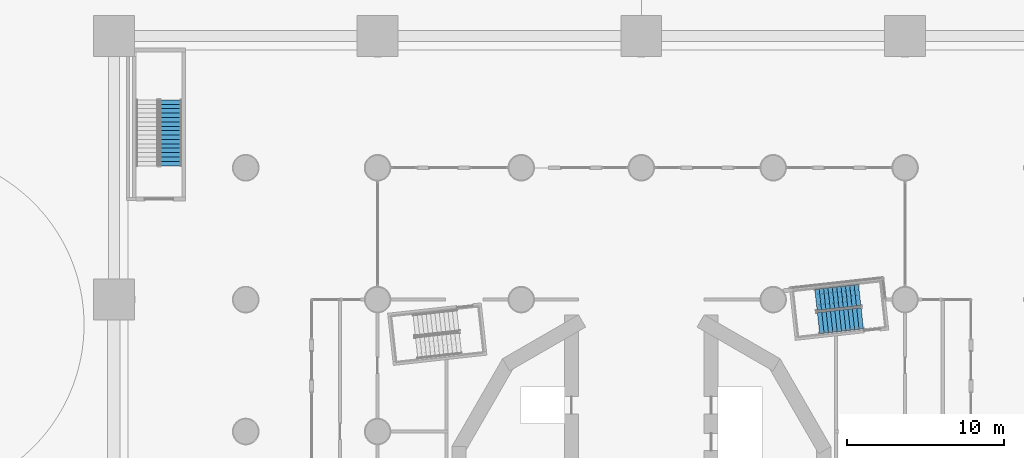
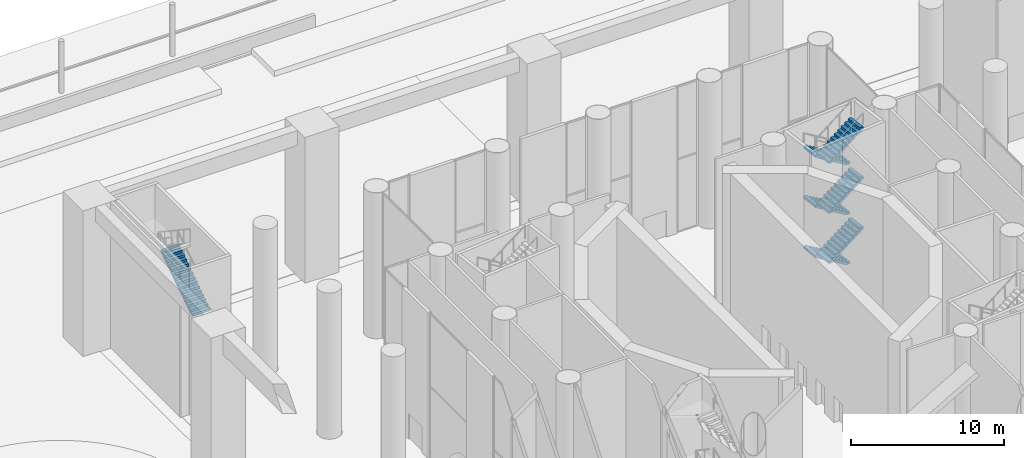
# One storey, part 22 of 52: 7 stair flights, 2 elements without a shape of their own.
"""IFC4 building model written with IfcOpenShell, lengths in metres."""

from ifc_helpers import new_model, si_unit, direction, frame, origin, place, context, subcontext, project, spatial, polyline, outline, extrude, material, type_object, element, aggregate, save


model = new_model("IFC4")

# Units and contexts
model_context = context("Model", 3, precision=1e-05, world=origin(), true_north=direction((0.0, 1.0)))
body_context = subcontext(model_context, "Body", "Model", "MODEL_VIEW")
ifc_project = project(units=[si_unit("LENGTHUNIT", "METRE"), si_unit("AREAUNIT", "SQUARE_METRE"), si_unit("VOLUMEUNIT", "CUBIC_METRE"), si_unit("PLANEANGLEUNIT", "RADIAN"), si_unit("MASSUNIT", "GRAM", prefix="KILO")], contexts=[model_context])

# Site, building, storey
site_placement = place(None, origin())
site = spatial("IfcSite", under=ifc_project, at=site_placement, CompositionType="ELEMENT")
building_placement = place(site_placement, origin())
building = spatial("IfcBuilding", under=site, at=building_placement, Name="Cantera Rosa Tower", CompositionType="ELEMENT")
storey_placement = place(building_placement, origin())
storey = spatial("IfcBuildingStorey", under=building, at=storey_placement, Name="L00", CompositionType="ELEMENT", Elevation=0.0)

# Stair, stair flights
ifc_material_1 = material(Name="Concrete C35/45", Category="concrete")
stair_type_1 = type_object("IfcStairType", Name="EXIT STAIR 1350 DOGLEG", PredefinedType="HALF_TURN_STAIR", material=ifc_material_1)
stair_1_placement = place(storey_placement, origin())
stair_1 = element("IfcStair", 1, at=stair_1_placement, inside=storey, type_object=stair_type_1, Name="L00 ST-11", PredefinedType="HALF_TURN_STAIR")
ifc_material_2 = material(Name="Concrete C35/45", Category="concrete")
stair_flight_type_1 = type_object("IfcStairFlightType", Name="STAIR FLIGHT 1350 R66x182", PredefinedType="STRAIGHT", material=ifc_material_2)
stair_flight_1_placement = place(storey_placement, frame((13.90869140625, 12.89990234375, 0.0), z_axis=(0.0, 0.0, 1.0), x_axis=(-0.993896947056, -0.110312549749, 0.0)))
stair_flight_1 = element("IfcStairFlight", 2, at=stair_flight_1_placement, type_object=stair_flight_type_1, Name="ST-11 flight 1", NumberOfRisers=11, NumberOfTreads=10, PredefinedType="STRAIGHT", RiserHeight=0.181818182, TreadLength=0.28, context=body_context, shape_type="SweptSolid", body=[
    extrude(outline(polyline([(0.0, 0.0), (0.0, 0.181884765625), (0.280029296875, 0.181884765625), (0.280029296875, 0.363525390625), (0.56005859375, 0.363525390625), (0.56005859375, 0.54541015625), (0.840087890625, 0.54541015625), (0.840087890625, 0.727294921875), (1.1201171875, 0.727294921875), (1.1201171875, 0.9091796875), (1.39990234375, 0.9091796875), (1.39990234375, 1.0908203125), (1.679931640625, 1.0908203125), (1.679931640625, 1.272705078125), (1.9599609375, 1.272705078125), (1.9599609375, 1.45458984375), (2.239990234375, 1.45458984375), (2.239990234375, 1.636474609375), (2.52001953125, 1.636474609375), (2.52001953125, 1.818115234375), (2.800048828125, 1.818115234375), (2.800048828125, 2.0), (2.800048828125, 1.639404296875), (0.275146484375, 0.0), (0.0, 0.0)])), frame((0.0, 0.675048828125, 0.0), z_axis=(0.0, -1.0, 0.0), x_axis=(1.0, 0.0, 0.0)), (0.0, 0.0, 1.0), 0.3359375),
    extrude(outline(polyline([(0.0, 0.0), (0.0, 0.181884765625), (0.280029296875, 0.181884765625), (0.280029296875, 0.363525390625), (0.56005859375, 0.363525390625), (0.56005859375, 0.54541015625), (0.840087890625, 0.54541015625), (0.840087890625, 0.727294921875), (1.1201171875, 0.727294921875), (1.1201171875, 0.9091796875), (1.39990234375, 0.9091796875), (1.39990234375, 1.0908203125), (1.679931640625, 1.0908203125), (1.679931640625, 1.272705078125), (1.9599609375, 1.272705078125), (1.9599609375, 1.45458984375), (2.239990234375, 1.45458984375), (2.239990234375, 1.636474609375), (2.52001953125, 1.636474609375), (2.52001953125, 1.818115234375), (2.800048828125, 1.818115234375), (2.800048828125, 2.0), (2.800048828125, 1.639404296875), (0.275146484375, 0.0), (0.0, 0.0)])), frame((0.0, 0.337158203125, 0.0), z_axis=(0.0, -1.0, 0.0), x_axis=(1.0, 0.0, 0.0)), (0.0, 0.0, 1.0), 0.3359375),
    extrude(outline(polyline([(0.0, 0.0), (0.0, 0.181884765625), (0.280029296875, 0.181884765625), (0.280029296875, 0.363525390625), (0.56005859375, 0.363525390625), (0.56005859375, 0.54541015625), (0.840087890625, 0.54541015625), (0.840087890625, 0.727294921875), (1.1201171875, 0.727294921875), (1.1201171875, 0.9091796875), (1.39990234375, 0.9091796875), (1.39990234375, 1.0908203125), (1.679931640625, 1.0908203125), (1.679931640625, 1.272705078125), (1.9599609375, 1.272705078125), (1.9599609375, 1.45458984375), (2.239990234375, 1.45458984375), (2.239990234375, 1.636474609375), (2.52001953125, 1.636474609375), (2.52001953125, 1.818115234375), (2.800048828125, 1.818115234375), (2.800048828125, 2.0), (2.800048828125, 1.639404296875), (0.275146484375, 0.0), (0.0, 0.0)])), frame((0.0, -0.000732421875, 0.0), z_axis=(0.0, -1.0, 0.0), x_axis=(1.0, 0.0, 0.0)), (0.0, 0.0, 1.0), 0.3359375),
    extrude(outline(polyline([(0.0, 0.0), (0.0, 0.181884765625), (0.280029296875, 0.181884765625), (0.280029296875, 0.363525390625), (0.56005859375, 0.363525390625), (0.56005859375, 0.54541015625), (0.840087890625, 0.54541015625), (0.840087890625, 0.727294921875), (1.1201171875, 0.727294921875), (1.1201171875, 0.9091796875), (1.39990234375, 0.9091796875), (1.39990234375, 1.0908203125), (1.679931640625, 1.0908203125), (1.679931640625, 1.272705078125), (1.9599609375, 1.272705078125), (1.9599609375, 1.45458984375), (2.239990234375, 1.45458984375), (2.239990234375, 1.636474609375), (2.52001953125, 1.636474609375), (2.52001953125, 1.818115234375), (2.800048828125, 1.818115234375), (2.800048828125, 2.0), (2.800048828125, 1.639404296875), (0.275146484375, 0.0), (0.0, 0.0)])), frame((0.0, -0.338623046875, 0.0), z_axis=(0.0, -1.0, 0.0), x_axis=(1.0, 0.0, 0.0)), (0.0, 0.0, 1.0), 0.3359375),
])
stair_flight_2_placement = place(storey_placement, frame((11.291259765625, 11.10009765625, 2.0), z_axis=(0.0, 0.0, 1.0), x_axis=(0.993896947056, 0.110312549749, 0.0)))
stair_flight_2 = element("IfcStairFlight", 3, at=stair_flight_2_placement, type_object=stair_flight_type_1, Name="ST-11 flight 2", NumberOfRisers=11, NumberOfTreads=10, PredefinedType="STRAIGHT", RiserHeight=0.181818182, TreadLength=0.28, context=body_context, shape_type="SweptSolid", body=[
    extrude(outline(polyline([(0.0, 0.0), (0.0, 0.181884765625), (0.280029296875, 0.181884765625), (0.280029296875, 0.363525390625), (0.56005859375, 0.363525390625), (0.56005859375, 0.54541015625), (0.840087890625, 0.54541015625), (0.840087890625, 0.727294921875), (1.1201171875, 0.727294921875), (1.1201171875, 0.9091796875), (1.39990234375, 0.9091796875), (1.39990234375, 1.0908203125), (1.679931640625, 1.0908203125), (1.679931640625, 1.272705078125), (1.9599609375, 1.272705078125), (1.9599609375, 1.45458984375), (2.239990234375, 1.45458984375), (2.239990234375, 1.636474609375), (2.52001953125, 1.636474609375), (2.52001953125, 1.818115234375), (2.800048828125, 1.818115234375), (2.800048828125, 2.0), (2.800048828125, 1.639404296875), (0.275146484375, 0.0), (0.0, 0.0)])), frame((0.0, 0.675048828125, 0.0), z_axis=(0.0, -1.0, 0.0), x_axis=(1.0, 0.0, 0.0)), (0.0, 0.0, 1.0), 0.3359375),
    extrude(outline(polyline([(0.0, 0.0), (0.0, 0.181884765625), (0.280029296875, 0.181884765625), (0.280029296875, 0.363525390625), (0.56005859375, 0.363525390625), (0.56005859375, 0.54541015625), (0.840087890625, 0.54541015625), (0.840087890625, 0.727294921875), (1.1201171875, 0.727294921875), (1.1201171875, 0.9091796875), (1.39990234375, 0.9091796875), (1.39990234375, 1.0908203125), (1.679931640625, 1.0908203125), (1.679931640625, 1.272705078125), (1.9599609375, 1.272705078125), (1.9599609375, 1.45458984375), (2.239990234375, 1.45458984375), (2.239990234375, 1.636474609375), (2.52001953125, 1.636474609375), (2.52001953125, 1.818115234375), (2.800048828125, 1.818115234375), (2.800048828125, 2.0), (2.800048828125, 1.639404296875), (0.275146484375, 0.0), (0.0, 0.0)])), frame((0.0, 0.337158203125, 0.0), z_axis=(0.0, -1.0, 0.0), x_axis=(1.0, 0.0, 0.0)), (0.0, 0.0, 1.0), 0.3359375),
    extrude(outline(polyline([(0.0, 0.0), (0.0, 0.181884765625), (0.280029296875, 0.181884765625), (0.280029296875, 0.363525390625), (0.56005859375, 0.363525390625), (0.56005859375, 0.54541015625), (0.840087890625, 0.54541015625), (0.840087890625, 0.727294921875), (1.1201171875, 0.727294921875), (1.1201171875, 0.9091796875), (1.39990234375, 0.9091796875), (1.39990234375, 1.0908203125), (1.679931640625, 1.0908203125), (1.679931640625, 1.272705078125), (1.9599609375, 1.272705078125), (1.9599609375, 1.45458984375), (2.239990234375, 1.45458984375), (2.239990234375, 1.636474609375), (2.52001953125, 1.636474609375), (2.52001953125, 1.818115234375), (2.800048828125, 1.818115234375), (2.800048828125, 2.0), (2.800048828125, 1.639404296875), (0.275146484375, 0.0), (0.0, 0.0)])), frame((0.0, -0.000732421875, 0.0), z_axis=(0.0, -1.0, 0.0), x_axis=(1.0, 0.0, 0.0)), (0.0, 0.0, 1.0), 0.3359375),
    extrude(outline(polyline([(0.0, 0.0), (0.0, 0.181884765625), (0.280029296875, 0.181884765625), (0.280029296875, 0.363525390625), (0.56005859375, 0.363525390625), (0.56005859375, 0.54541015625), (0.840087890625, 0.54541015625), (0.840087890625, 0.727294921875), (1.1201171875, 0.727294921875), (1.1201171875, 0.9091796875), (1.39990234375, 0.9091796875), (1.39990234375, 1.0908203125), (1.679931640625, 1.0908203125), (1.679931640625, 1.272705078125), (1.9599609375, 1.272705078125), (1.9599609375, 1.45458984375), (2.239990234375, 1.45458984375), (2.239990234375, 1.636474609375), (2.52001953125, 1.636474609375), (2.52001953125, 1.818115234375), (2.800048828125, 1.818115234375), (2.800048828125, 2.0), (2.800048828125, 1.639404296875), (0.275146484375, 0.0), (0.0, 0.0)])), frame((0.0, -0.338623046875, 0.0), z_axis=(0.0, -1.0, 0.0), x_axis=(1.0, 0.0, 0.0)), (0.0, 0.0, 1.0), 0.3359375),
])
stair_flight_3_placement = place(storey_placement, frame((13.90869140625, 12.89990234375, 4.0), z_axis=(0.0, 0.0, 1.0), x_axis=(-0.993896947056, -0.110312549749, 0.0)))
stair_flight_3 = element("IfcStairFlight", 4, at=stair_flight_3_placement, type_object=stair_flight_type_1, Name="ST-11 flight 3", NumberOfRisers=11, NumberOfTreads=10, PredefinedType="STRAIGHT", RiserHeight=0.181818182, TreadLength=0.28, context=body_context, shape_type="SweptSolid", body=[
    extrude(outline(polyline([(0.0, 0.0), (0.0, 0.181884765625), (0.280029296875, 0.181884765625), (0.280029296875, 0.363525390625), (0.56005859375, 0.363525390625), (0.56005859375, 0.54541015625), (0.840087890625, 0.54541015625), (0.840087890625, 0.727294921875), (1.1201171875, 0.727294921875), (1.1201171875, 0.9091796875), (1.39990234375, 0.9091796875), (1.39990234375, 1.0908203125), (1.679931640625, 1.0908203125), (1.679931640625, 1.272705078125), (1.9599609375, 1.272705078125), (1.9599609375, 1.45458984375), (2.239990234375, 1.45458984375), (2.239990234375, 1.636474609375), (2.52001953125, 1.636474609375), (2.52001953125, 1.818115234375), (2.800048828125, 1.818115234375), (2.800048828125, 2.0), (2.800048828125, 1.639404296875), (0.275146484375, 0.0), (0.0, 0.0)])), frame((0.0, 0.675048828125, 0.0), z_axis=(0.0, -1.0, 0.0), x_axis=(1.0, 0.0, 0.0)), (0.0, 0.0, 1.0), 0.3359375),
    extrude(outline(polyline([(0.0, 0.0), (0.0, 0.181884765625), (0.280029296875, 0.181884765625), (0.280029296875, 0.363525390625), (0.56005859375, 0.363525390625), (0.56005859375, 0.54541015625), (0.840087890625, 0.54541015625), (0.840087890625, 0.727294921875), (1.1201171875, 0.727294921875), (1.1201171875, 0.9091796875), (1.39990234375, 0.9091796875), (1.39990234375, 1.0908203125), (1.679931640625, 1.0908203125), (1.679931640625, 1.272705078125), (1.9599609375, 1.272705078125), (1.9599609375, 1.45458984375), (2.239990234375, 1.45458984375), (2.239990234375, 1.636474609375), (2.52001953125, 1.636474609375), (2.52001953125, 1.818115234375), (2.800048828125, 1.818115234375), (2.800048828125, 2.0), (2.800048828125, 1.639404296875), (0.275146484375, 0.0), (0.0, 0.0)])), frame((0.0, 0.337158203125, 0.0), z_axis=(0.0, -1.0, 0.0), x_axis=(1.0, 0.0, 0.0)), (0.0, 0.0, 1.0), 0.3359375),
    extrude(outline(polyline([(0.0, 0.0), (0.0, 0.181884765625), (0.280029296875, 0.181884765625), (0.280029296875, 0.363525390625), (0.56005859375, 0.363525390625), (0.56005859375, 0.54541015625), (0.840087890625, 0.54541015625), (0.840087890625, 0.727294921875), (1.1201171875, 0.727294921875), (1.1201171875, 0.9091796875), (1.39990234375, 0.9091796875), (1.39990234375, 1.0908203125), (1.679931640625, 1.0908203125), (1.679931640625, 1.272705078125), (1.9599609375, 1.272705078125), (1.9599609375, 1.45458984375), (2.239990234375, 1.45458984375), (2.239990234375, 1.636474609375), (2.52001953125, 1.636474609375), (2.52001953125, 1.818115234375), (2.800048828125, 1.818115234375), (2.800048828125, 2.0), (2.800048828125, 1.639404296875), (0.275146484375, 0.0), (0.0, 0.0)])), frame((0.0, -0.000732421875, 0.0), z_axis=(0.0, -1.0, 0.0), x_axis=(1.0, 0.0, 0.0)), (0.0, 0.0, 1.0), 0.3359375),
    extrude(outline(polyline([(0.0, 0.0), (0.0, 0.181884765625), (0.280029296875, 0.181884765625), (0.280029296875, 0.363525390625), (0.56005859375, 0.363525390625), (0.56005859375, 0.54541015625), (0.840087890625, 0.54541015625), (0.840087890625, 0.727294921875), (1.1201171875, 0.727294921875), (1.1201171875, 0.9091796875), (1.39990234375, 0.9091796875), (1.39990234375, 1.0908203125), (1.679931640625, 1.0908203125), (1.679931640625, 1.272705078125), (1.9599609375, 1.272705078125), (1.9599609375, 1.45458984375), (2.239990234375, 1.45458984375), (2.239990234375, 1.636474609375), (2.52001953125, 1.636474609375), (2.52001953125, 1.818115234375), (2.800048828125, 1.818115234375), (2.800048828125, 2.0), (2.800048828125, 1.639404296875), (0.275146484375, 0.0), (0.0, 0.0)])), frame((0.0, -0.338623046875, 0.0), z_axis=(0.0, -1.0, 0.0), x_axis=(1.0, 0.0, 0.0)), (0.0, 0.0, 1.0), 0.3359375),
])
stair_flight_4_placement = place(storey_placement, frame((11.291259765625, 11.10009765625, 6.0), z_axis=(0.0, 0.0, 1.0), x_axis=(0.993896947056, 0.110312549749, 0.0)))
stair_flight_4 = element("IfcStairFlight", 5, at=stair_flight_4_placement, type_object=stair_flight_type_1, Name="ST-11 flight 4", NumberOfRisers=11, NumberOfTreads=10, PredefinedType="STRAIGHT", RiserHeight=0.181818182, TreadLength=0.28, context=body_context, shape_type="SweptSolid", body=[
    extrude(outline(polyline([(0.0, 0.0), (0.0, 0.181884765625), (0.280029296875, 0.181884765625), (0.280029296875, 0.363525390625), (0.56005859375, 0.363525390625), (0.56005859375, 0.54541015625), (0.840087890625, 0.54541015625), (0.840087890625, 0.727294921875), (1.1201171875, 0.727294921875), (1.1201171875, 0.9091796875), (1.39990234375, 0.9091796875), (1.39990234375, 1.0908203125), (1.679931640625, 1.0908203125), (1.679931640625, 1.272705078125), (1.9599609375, 1.272705078125), (1.9599609375, 1.45458984375), (2.239990234375, 1.45458984375), (2.239990234375, 1.636474609375), (2.52001953125, 1.636474609375), (2.52001953125, 1.818115234375), (2.800048828125, 1.818115234375), (2.800048828125, 2.0), (2.800048828125, 1.639404296875), (0.275146484375, 0.0), (0.0, 0.0)])), frame((0.0, 0.675048828125, 0.0), z_axis=(0.0, -1.0, 0.0), x_axis=(1.0, 0.0, 0.0)), (0.0, 0.0, 1.0), 0.3359375),
    extrude(outline(polyline([(0.0, 0.0), (0.0, 0.181884765625), (0.280029296875, 0.181884765625), (0.280029296875, 0.363525390625), (0.56005859375, 0.363525390625), (0.56005859375, 0.54541015625), (0.840087890625, 0.54541015625), (0.840087890625, 0.727294921875), (1.1201171875, 0.727294921875), (1.1201171875, 0.9091796875), (1.39990234375, 0.9091796875), (1.39990234375, 1.0908203125), (1.679931640625, 1.0908203125), (1.679931640625, 1.272705078125), (1.9599609375, 1.272705078125), (1.9599609375, 1.45458984375), (2.239990234375, 1.45458984375), (2.239990234375, 1.636474609375), (2.52001953125, 1.636474609375), (2.52001953125, 1.818115234375), (2.800048828125, 1.818115234375), (2.800048828125, 2.0), (2.800048828125, 1.639404296875), (0.275146484375, 0.0), (0.0, 0.0)])), frame((0.0, 0.337158203125, 0.0), z_axis=(0.0, -1.0, 0.0), x_axis=(1.0, 0.0, 0.0)), (0.0, 0.0, 1.0), 0.3359375),
    extrude(outline(polyline([(0.0, 0.0), (0.0, 0.181884765625), (0.280029296875, 0.181884765625), (0.280029296875, 0.363525390625), (0.56005859375, 0.363525390625), (0.56005859375, 0.54541015625), (0.840087890625, 0.54541015625), (0.840087890625, 0.727294921875), (1.1201171875, 0.727294921875), (1.1201171875, 0.9091796875), (1.39990234375, 0.9091796875), (1.39990234375, 1.0908203125), (1.679931640625, 1.0908203125), (1.679931640625, 1.272705078125), (1.9599609375, 1.272705078125), (1.9599609375, 1.45458984375), (2.239990234375, 1.45458984375), (2.239990234375, 1.636474609375), (2.52001953125, 1.636474609375), (2.52001953125, 1.818115234375), (2.800048828125, 1.818115234375), (2.800048828125, 2.0), (2.800048828125, 1.639404296875), (0.275146484375, 0.0), (0.0, 0.0)])), frame((0.0, -0.000732421875, 0.0), z_axis=(0.0, -1.0, 0.0), x_axis=(1.0, 0.0, 0.0)), (0.0, 0.0, 1.0), 0.3359375),
    extrude(outline(polyline([(0.0, 0.0), (0.0, 0.181884765625), (0.280029296875, 0.181884765625), (0.280029296875, 0.363525390625), (0.56005859375, 0.363525390625), (0.56005859375, 0.54541015625), (0.840087890625, 0.54541015625), (0.840087890625, 0.727294921875), (1.1201171875, 0.727294921875), (1.1201171875, 0.9091796875), (1.39990234375, 0.9091796875), (1.39990234375, 1.0908203125), (1.679931640625, 1.0908203125), (1.679931640625, 1.272705078125), (1.9599609375, 1.272705078125), (1.9599609375, 1.45458984375), (2.239990234375, 1.45458984375), (2.239990234375, 1.636474609375), (2.52001953125, 1.636474609375), (2.52001953125, 1.818115234375), (2.800048828125, 1.818115234375), (2.800048828125, 2.0), (2.800048828125, 1.639404296875), (0.275146484375, 0.0), (0.0, 0.0)])), frame((0.0, -0.338623046875, 0.0), z_axis=(0.0, -1.0, 0.0), x_axis=(1.0, 0.0, 0.0)), (0.0, 0.0, 1.0), 0.3359375),
])
stair_flight_5_placement = place(storey_placement, frame((13.90869140625, 12.89990234375, 8.0), z_axis=(0.0, 0.0, 1.0), x_axis=(-0.993896947056, -0.110312549749, 0.0)))
stair_flight_5 = element("IfcStairFlight", 6, at=stair_flight_5_placement, type_object=stair_flight_type_1, Name="ST-11 flight 5", NumberOfRisers=11, NumberOfTreads=10, PredefinedType="STRAIGHT", RiserHeight=0.181818182, TreadLength=0.28, context=body_context, shape_type="SweptSolid", body=[
    extrude(outline(polyline([(0.0, 0.0), (0.0, 0.181884765625), (0.280029296875, 0.181884765625), (0.280029296875, 0.363525390625), (0.56005859375, 0.363525390625), (0.56005859375, 0.54541015625), (0.840087890625, 0.54541015625), (0.840087890625, 0.727294921875), (1.1201171875, 0.727294921875), (1.1201171875, 0.9091796875), (1.39990234375, 0.9091796875), (1.39990234375, 1.0908203125), (1.679931640625, 1.0908203125), (1.679931640625, 1.272705078125), (1.9599609375, 1.272705078125), (1.9599609375, 1.45458984375), (2.239990234375, 1.45458984375), (2.239990234375, 1.636474609375), (2.52001953125, 1.636474609375), (2.52001953125, 1.818115234375), (2.800048828125, 1.818115234375), (2.800048828125, 2.0), (2.800048828125, 1.639404296875), (0.275146484375, 0.0), (0.0, 0.0)])), frame((0.0, 0.675048828125, 0.0), z_axis=(0.0, -1.0, 0.0), x_axis=(1.0, 0.0, 0.0)), (0.0, 0.0, 1.0), 0.3359375),
    extrude(outline(polyline([(0.0, 0.0), (0.0, 0.181884765625), (0.280029296875, 0.181884765625), (0.280029296875, 0.363525390625), (0.56005859375, 0.363525390625), (0.56005859375, 0.54541015625), (0.840087890625, 0.54541015625), (0.840087890625, 0.727294921875), (1.1201171875, 0.727294921875), (1.1201171875, 0.9091796875), (1.39990234375, 0.9091796875), (1.39990234375, 1.0908203125), (1.679931640625, 1.0908203125), (1.679931640625, 1.272705078125), (1.9599609375, 1.272705078125), (1.9599609375, 1.45458984375), (2.239990234375, 1.45458984375), (2.239990234375, 1.636474609375), (2.52001953125, 1.636474609375), (2.52001953125, 1.818115234375), (2.800048828125, 1.818115234375), (2.800048828125, 2.0), (2.800048828125, 1.639404296875), (0.275146484375, 0.0), (0.0, 0.0)])), frame((0.0, 0.337158203125, 0.0), z_axis=(0.0, -1.0, 0.0), x_axis=(1.0, 0.0, 0.0)), (0.0, 0.0, 1.0), 0.3359375),
    extrude(outline(polyline([(0.0, 0.0), (0.0, 0.181884765625), (0.280029296875, 0.181884765625), (0.280029296875, 0.363525390625), (0.56005859375, 0.363525390625), (0.56005859375, 0.54541015625), (0.840087890625, 0.54541015625), (0.840087890625, 0.727294921875), (1.1201171875, 0.727294921875), (1.1201171875, 0.9091796875), (1.39990234375, 0.9091796875), (1.39990234375, 1.0908203125), (1.679931640625, 1.0908203125), (1.679931640625, 1.272705078125), (1.9599609375, 1.272705078125), (1.9599609375, 1.45458984375), (2.239990234375, 1.45458984375), (2.239990234375, 1.636474609375), (2.52001953125, 1.636474609375), (2.52001953125, 1.818115234375), (2.800048828125, 1.818115234375), (2.800048828125, 2.0), (2.800048828125, 1.639404296875), (0.275146484375, 0.0), (0.0, 0.0)])), frame((0.0, -0.000732421875, 0.0), z_axis=(0.0, -1.0, 0.0), x_axis=(1.0, 0.0, 0.0)), (0.0, 0.0, 1.0), 0.3359375),
    extrude(outline(polyline([(0.0, 0.0), (0.0, 0.181884765625), (0.280029296875, 0.181884765625), (0.280029296875, 0.363525390625), (0.56005859375, 0.363525390625), (0.56005859375, 0.54541015625), (0.840087890625, 0.54541015625), (0.840087890625, 0.727294921875), (1.1201171875, 0.727294921875), (1.1201171875, 0.9091796875), (1.39990234375, 0.9091796875), (1.39990234375, 1.0908203125), (1.679931640625, 1.0908203125), (1.679931640625, 1.272705078125), (1.9599609375, 1.272705078125), (1.9599609375, 1.45458984375), (2.239990234375, 1.45458984375), (2.239990234375, 1.636474609375), (2.52001953125, 1.636474609375), (2.52001953125, 1.818115234375), (2.800048828125, 1.818115234375), (2.800048828125, 2.0), (2.800048828125, 1.639404296875), (0.275146484375, 0.0), (0.0, 0.0)])), frame((0.0, -0.338623046875, 0.0), z_axis=(0.0, -1.0, 0.0), x_axis=(1.0, 0.0, 0.0)), (0.0, 0.0, 1.0), 0.3359375),
])
stair_flight_6_placement = place(storey_placement, frame((11.291259765625, 11.10009765625, 10.0), z_axis=(0.0, 0.0, 1.0), x_axis=(0.993896947056, 0.110312549749, 0.0)))
stair_flight_6 = element("IfcStairFlight", 7, at=stair_flight_6_placement, type_object=stair_flight_type_1, Name="ST-11 flight 6", NumberOfRisers=11, NumberOfTreads=10, PredefinedType="STRAIGHT", RiserHeight=0.181818182, TreadLength=0.28, context=body_context, shape_type="SweptSolid", body=[
    extrude(outline(polyline([(0.0, 0.0), (0.0, 0.181884765625), (0.280029296875, 0.181884765625), (0.280029296875, 0.363525390625), (0.56005859375, 0.363525390625), (0.56005859375, 0.54541015625), (0.840087890625, 0.54541015625), (0.840087890625, 0.727294921875), (1.1201171875, 0.727294921875), (1.1201171875, 0.9091796875), (1.39990234375, 0.9091796875), (1.39990234375, 1.0908203125), (1.679931640625, 1.0908203125), (1.679931640625, 1.272705078125), (1.9599609375, 1.272705078125), (1.9599609375, 1.45458984375), (2.239990234375, 1.45458984375), (2.239990234375, 1.636474609375), (2.52001953125, 1.636474609375), (2.52001953125, 1.818115234375), (2.800048828125, 1.818115234375), (2.800048828125, 2.0), (2.800048828125, 1.639404296875), (0.275146484375, 0.0), (0.0, 0.0)])), frame((0.0, 0.675048828125, 0.0), z_axis=(0.0, -1.0, 0.0), x_axis=(1.0, 0.0, 0.0)), (0.0, 0.0, 1.0), 0.3359375),
    extrude(outline(polyline([(0.0, 0.0), (0.0, 0.181884765625), (0.280029296875, 0.181884765625), (0.280029296875, 0.363525390625), (0.56005859375, 0.363525390625), (0.56005859375, 0.54541015625), (0.840087890625, 0.54541015625), (0.840087890625, 0.727294921875), (1.1201171875, 0.727294921875), (1.1201171875, 0.9091796875), (1.39990234375, 0.9091796875), (1.39990234375, 1.0908203125), (1.679931640625, 1.0908203125), (1.679931640625, 1.272705078125), (1.9599609375, 1.272705078125), (1.9599609375, 1.45458984375), (2.239990234375, 1.45458984375), (2.239990234375, 1.636474609375), (2.52001953125, 1.636474609375), (2.52001953125, 1.818115234375), (2.800048828125, 1.818115234375), (2.800048828125, 2.0), (2.800048828125, 1.639404296875), (0.275146484375, 0.0), (0.0, 0.0)])), frame((0.0, 0.337158203125, 0.0), z_axis=(0.0, -1.0, 0.0), x_axis=(1.0, 0.0, 0.0)), (0.0, 0.0, 1.0), 0.3359375),
    extrude(outline(polyline([(0.0, 0.0), (0.0, 0.181884765625), (0.280029296875, 0.181884765625), (0.280029296875, 0.363525390625), (0.56005859375, 0.363525390625), (0.56005859375, 0.54541015625), (0.840087890625, 0.54541015625), (0.840087890625, 0.727294921875), (1.1201171875, 0.727294921875), (1.1201171875, 0.9091796875), (1.39990234375, 0.9091796875), (1.39990234375, 1.0908203125), (1.679931640625, 1.0908203125), (1.679931640625, 1.272705078125), (1.9599609375, 1.272705078125), (1.9599609375, 1.45458984375), (2.239990234375, 1.45458984375), (2.239990234375, 1.636474609375), (2.52001953125, 1.636474609375), (2.52001953125, 1.818115234375), (2.800048828125, 1.818115234375), (2.800048828125, 2.0), (2.800048828125, 1.639404296875), (0.275146484375, 0.0), (0.0, 0.0)])), frame((0.0, -0.000732421875, 0.0), z_axis=(0.0, -1.0, 0.0), x_axis=(1.0, 0.0, 0.0)), (0.0, 0.0, 1.0), 0.3359375),
    extrude(outline(polyline([(0.0, 0.0), (0.0, 0.181884765625), (0.280029296875, 0.181884765625), (0.280029296875, 0.363525390625), (0.56005859375, 0.363525390625), (0.56005859375, 0.54541015625), (0.840087890625, 0.54541015625), (0.840087890625, 0.727294921875), (1.1201171875, 0.727294921875), (1.1201171875, 0.9091796875), (1.39990234375, 0.9091796875), (1.39990234375, 1.0908203125), (1.679931640625, 1.0908203125), (1.679931640625, 1.272705078125), (1.9599609375, 1.272705078125), (1.9599609375, 1.45458984375), (2.239990234375, 1.45458984375), (2.239990234375, 1.636474609375), (2.52001953125, 1.636474609375), (2.52001953125, 1.818115234375), (2.800048828125, 1.818115234375), (2.800048828125, 2.0), (2.800048828125, 1.639404296875), (0.275146484375, 0.0), (0.0, 0.0)])), frame((0.0, -0.338623046875, 0.0), z_axis=(0.0, -1.0, 0.0), x_axis=(1.0, 0.0, 0.0)), (0.0, 0.0, 1.0), 0.3359375),
])
aggregate(stair_1, [stair_flight_1, stair_flight_2, stair_flight_3, stair_flight_4, stair_flight_5, stair_flight_6])

# Stair, stair flight
ifc_material_3 = material(Name="Concrete C35/45", Category="concrete")
stair_type_2 = type_object("IfcStairType", Name="Stair half-turn 1350", PredefinedType="HALF_TURN_STAIR", material=ifc_material_3)
stair_2_placement = place(storey_placement, origin())
stair_2 = element("IfcStair", 8, at=stair_2_placement, inside=storey, type_object=stair_type_2, Name="L00 ST-NW", PredefinedType="HALF_TURN_STAIR")
ifc_material_4 = material(Name="Concrete C35/45", Category="concrete")
stair_flight_type_2 = type_object("IfcStairFlightType", Name="Stair flight 1350", PredefinedType="STRAIGHT", material=ifc_material_4)
stair_flight_7_placement = place(storey_placement, frame((-29.949951171875, 21.125, 6.0), z_axis=(0.0, 0.0, 1.0), x_axis=(0.0, 1.0, 0.0)))
stair_flight_7 = element("IfcStairFlight", 9, at=stair_flight_7_placement, type_object=stair_flight_type_2, Name="ST-NW flight 3", NumberOfRisers=16, NumberOfTreads=15, PredefinedType="STRAIGHT", RiserHeight=0.1875, TreadLength=0.28, context=body_context, shape_type="SweptSolid", body=[
    extrude(outline(polyline([(0.0, 0.0), (0.0, 0.1875), (0.280029296875, 0.1875), (0.280029296875, 0.375), (0.56005859375, 0.375), (0.56005859375, 0.5625), (0.840087890625, 0.5625), (0.840087890625, 0.75), (1.1201171875, 0.75), (1.1201171875, 0.9375), (1.39990234375, 0.9375), (1.39990234375, 1.125), (1.679931640625, 1.125), (1.679931640625, 1.3125), (1.9599609375, 1.3125), (1.9599609375, 1.5), (2.239990234375, 1.5), (2.239990234375, 1.6875), (2.52001953125, 1.6875), (2.52001953125, 1.875), (2.800048828125, 1.875), (2.800048828125, 2.0625), (3.080078125, 2.0625), (3.080078125, 2.25), (3.360107421875, 2.25), (3.360107421875, 2.4375), (3.639892578125, 2.4375), (3.639892578125, 2.625), (3.919921875, 2.625), (3.919921875, 2.8125), (4.199951171875, 2.8125), (4.199951171875, 3.0), (4.199951171875, 2.632080078125), (0.26953125, 0.0), (0.0, 0.0)])), frame((0.0, 0.675048828125, 0.0), z_axis=(0.0, -1.0, 0.0), x_axis=(1.0, 0.0, 0.0)), (0.0, 0.0, 1.0), 0.3359375),
    extrude(outline(polyline([(0.0, 0.0), (0.0, 0.1875), (0.280029296875, 0.1875), (0.280029296875, 0.375), (0.56005859375, 0.375), (0.56005859375, 0.5625), (0.840087890625, 0.5625), (0.840087890625, 0.75), (1.1201171875, 0.75), (1.1201171875, 0.9375), (1.39990234375, 0.9375), (1.39990234375, 1.125), (1.679931640625, 1.125), (1.679931640625, 1.3125), (1.9599609375, 1.3125), (1.9599609375, 1.5), (2.239990234375, 1.5), (2.239990234375, 1.6875), (2.52001953125, 1.6875), (2.52001953125, 1.875), (2.800048828125, 1.875), (2.800048828125, 2.0625), (3.080078125, 2.0625), (3.080078125, 2.25), (3.360107421875, 2.25), (3.360107421875, 2.4375), (3.639892578125, 2.4375), (3.639892578125, 2.625), (3.919921875, 2.625), (3.919921875, 2.8125), (4.199951171875, 2.8125), (4.199951171875, 3.0), (4.199951171875, 2.632080078125), (0.26953125, 0.0), (0.0, 0.0)])), frame((0.0, 0.337158203125, 0.0), z_axis=(0.0, -1.0, 0.0), x_axis=(1.0, 0.0, 0.0)), (0.0, 0.0, 1.0), 0.3359375),
    extrude(outline(polyline([(0.0, 0.0), (0.0, 0.1875), (0.280029296875, 0.1875), (0.280029296875, 0.375), (0.56005859375, 0.375), (0.56005859375, 0.5625), (0.840087890625, 0.5625), (0.840087890625, 0.75), (1.1201171875, 0.75), (1.1201171875, 0.9375), (1.39990234375, 0.9375), (1.39990234375, 1.125), (1.679931640625, 1.125), (1.679931640625, 1.3125), (1.9599609375, 1.3125), (1.9599609375, 1.5), (2.239990234375, 1.5), (2.239990234375, 1.6875), (2.52001953125, 1.6875), (2.52001953125, 1.875), (2.800048828125, 1.875), (2.800048828125, 2.0625), (3.080078125, 2.0625), (3.080078125, 2.25), (3.360107421875, 2.25), (3.360107421875, 2.4375), (3.639892578125, 2.4375), (3.639892578125, 2.625), (3.919921875, 2.625), (3.919921875, 2.8125), (4.199951171875, 2.8125), (4.199951171875, 3.0), (4.199951171875, 2.632080078125), (0.26953125, 0.0), (0.0, 0.0)])), frame((0.0, -0.000732421875, 0.0), z_axis=(0.0, -1.0, 0.0), x_axis=(1.0, 0.0, 0.0)), (0.0, 0.0, 1.0), 0.3359375),
    extrude(outline(polyline([(0.0, 0.0), (0.0, 0.1875), (0.280029296875, 0.1875), (0.280029296875, 0.375), (0.56005859375, 0.375), (0.56005859375, 0.5625), (0.840087890625, 0.5625), (0.840087890625, 0.75), (1.1201171875, 0.75), (1.1201171875, 0.9375), (1.39990234375, 0.9375), (1.39990234375, 1.125), (1.679931640625, 1.125), (1.679931640625, 1.3125), (1.9599609375, 1.3125), (1.9599609375, 1.5), (2.239990234375, 1.5), (2.239990234375, 1.6875), (2.52001953125, 1.6875), (2.52001953125, 1.875), (2.800048828125, 1.875), (2.800048828125, 2.0625), (3.080078125, 2.0625), (3.080078125, 2.25), (3.360107421875, 2.25), (3.360107421875, 2.4375), (3.639892578125, 2.4375), (3.639892578125, 2.625), (3.919921875, 2.625), (3.919921875, 2.8125), (4.199951171875, 2.8125), (4.199951171875, 3.0), (4.199951171875, 2.632080078125), (0.26953125, 0.0), (0.0, 0.0)])), frame((0.0, -0.338623046875, 0.0), z_axis=(0.0, -1.0, 0.0), x_axis=(1.0, 0.0, 0.0)), (0.0, 0.0, 1.0), 0.3359375),
])
aggregate(stair_2, [stair_flight_7])

save(model, "model.ifc")
